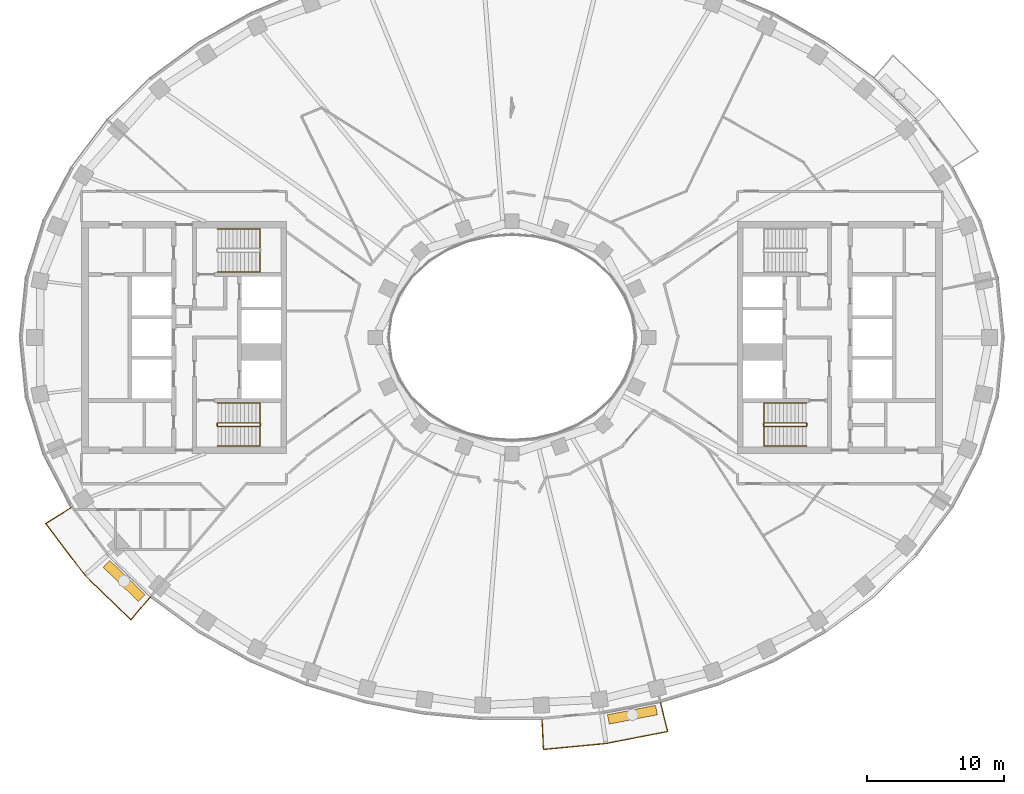
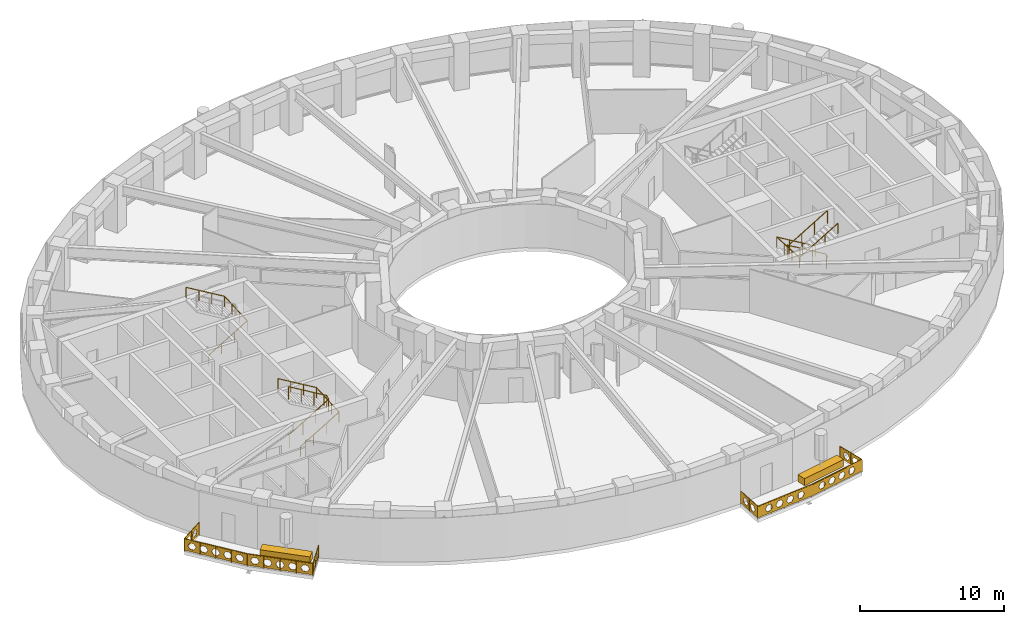
# One storey, part 14 of 16: 7 railings, 2 coverings.
"""IFC4 building model written with IfcOpenShell, lengths in metres."""

from ifc_helpers import new_model, si_unit, direction, frame, origin, origin_2d, place, context, subcontext, project, spatial, polyline, rectangle, outline, extrude, material, type_object, element, save


model = new_model("IFC4")

# Units and contexts
model_context = context("Model", 3, precision=1e-05, world=origin(), true_north=direction((0.0, 1.0)))
body_context = subcontext(model_context, "Body", "Model", "MODEL_VIEW")
ifc_project = project(units=[si_unit("LENGTHUNIT", "METRE"), si_unit("AREAUNIT", "SQUARE_METRE"), si_unit("VOLUMEUNIT", "CUBIC_METRE"), si_unit("PLANEANGLEUNIT", "RADIAN"), si_unit("MASSUNIT", "GRAM", prefix="KILO")], contexts=[model_context])

# Site, building, storey
site_placement = place(None, origin())
site = spatial("IfcSite", under=ifc_project, at=site_placement, CompositionType="ELEMENT")
building_placement = place(site_placement, origin())
building = spatial("IfcBuilding", under=site, at=building_placement, Name="Noorbagh Ring Tower", CompositionType="ELEMENT")
storey_placement = place(building_placement, frame((0.0, 0.0, 186.0)))
storey = spatial("IfcBuildingStorey", under=building, at=storey_placement, Name="L43", CompositionType="ELEMENT", Elevation=186.0)

# Railings
ifc_material_1 = material(Name="Stainless steel", Category="steel")
railing_type_1 = type_object("IfcRailingType", Name="CORE-STAIR-GUARD", PredefinedType="GUARDRAIL", material=ifc_material_1)
railing_1_placement = place(storey_placement, frame((-21.580078125, -6.449951171875, 0.0)))
element("IfcRailing", 1, at=railing_1_placement, inside=storey, type_object=railing_type_1, Name="L43 ST2 stair guard", PredefinedType="GUARDRAIL", context=body_context, shape_type="SweptSolid", body=[
    extrude(rectangle(XDim=0.048095703125, YDim=0.048095703125, at=origin_2d()), frame((0.0, 0.0, 1.076171875), z_axis=(0.0, 1.0, 0.0), x_axis=(-1.0, 0.0, 0.0)), (0.0, 0.0, 1.0), 0.14990234375),
    extrude(rectangle(XDim=0.048095703125, YDim=0.048095703125, at=origin_2d()), frame((0.0, 0.14990234375, 1.076171875), z_axis=(0.188775798145, -0.754182335027, 0.628945707965), x_axis=(0.970072785993, 0.242814311512, 0.0)), (0.0, 0.0, 1.0), 0.26513671875),
    extrude(rectangle(XDim=0.048095703125, YDim=0.048095703125, at=origin_2d()), frame((0.050048828125, -0.050048828125, 1.24267578125), z_axis=(0.859308565015, 0.0, 0.511457515432), x_axis=(0.0, 1.0, 0.0)), (0.0, 0.0, 1.0), 3.58447265625),
    extrude(rectangle(XDim=0.048095703125, YDim=0.048095703125, at=origin_2d()), frame((3.130126953125, -0.050048828125, 3.076171875), z_axis=(0.707106781187, 0.707106781187, 0.0), x_axis=(-0.707106781187, 0.707106781187, 0.0)), (0.0, 0.0, 1.0), 0.07080078125),
    extrude(rectangle(XDim=0.048095703125, YDim=0.048095703125, at=origin_2d()), frame((3.18017578125, 0.0, 3.076171875), z_axis=(0.0, 1.0, 0.0), x_axis=(-1.0, 0.0, 0.0)), (0.0, 0.0, 1.0), 0.14990234375),
    extrude(rectangle(XDim=0.048095703125, YDim=0.048095703125, at=origin_2d()), frame((3.18017578125, 0.14990234375, 3.076171875), z_axis=(-0.27628659633, 0.27628659633, 0.920506074601), x_axis=(-0.707106781187, -0.707106781187, 0.0)), (0.0, 0.0, 1.0), 0.18115234375),
    extrude(rectangle(XDim=0.048095703125, YDim=0.048095703125, at=origin_2d()), frame((3.130126953125, 0.199951171875, 3.24267578125), z_axis=(-0.859308565015, 0.0, 0.511457515432), x_axis=(0.0, -1.0, 0.0)), (0.0, 0.0, 1.0), 3.58447265625),
    extrude(rectangle(XDim=0.0419921875, YDim=0.0419921875, at=origin_2d()), origin(), (0.0, 0.0, 1.0), 1.052001953125),
    extrude(rectangle(XDim=0.0419921875, YDim=0.0419921875, at=origin_2d()), frame((1.07666015625, -0.050048828125, 0.77783203125)), (0.0, 0.0, 1.0), 1.052001953125),
    extrude(rectangle(XDim=0.0419921875, YDim=0.0419921875, at=origin_2d()), frame((2.103515625, -0.050048828125, 1.388916015625)), (0.0, 0.0, 1.0), 1.052001953125),
    extrude(rectangle(XDim=0.0419921875, YDim=0.0419921875, at=origin_2d()), frame((3.130126953125, -0.050048828125, 2.0)), (0.0, 0.0, 1.0), 1.052001953125),
    extrude(rectangle(XDim=0.0419921875, YDim=0.0419921875, at=origin_2d()), frame((3.130126953125, 0.199951171875, 2.166748046875)), (0.0, 0.0, 1.0), 1.052001953125),
    extrude(rectangle(XDim=0.0419921875, YDim=0.0419921875, at=origin_2d()), frame((2.103515625, 0.199951171875, 2.77783203125)), (0.0, 0.0, 1.0), 1.052001953125),
    extrude(rectangle(XDim=0.0419921875, YDim=0.0419921875, at=origin_2d()), frame((1.07666015625, 0.199951171875, 3.388916015625)), (0.0, 0.0, 1.0), 1.052001953125),
    extrude(rectangle(XDim=0.0419921875, YDim=0.0419921875, at=origin_2d()), frame((0.050048828125, 0.199951171875, 4.0)), (0.0, 0.0, 1.0), 1.052001953125),
])
railing_2_placement = place(storey_placement, frame((21.580078125, -6.300048828125, 0.0)))
element("IfcRailing", 2, at=railing_2_placement, inside=storey, type_object=railing_type_1, Name="L43 ST4 stair guard", PredefinedType="GUARDRAIL", context=body_context, shape_type="SweptSolid", body=[
    extrude(rectangle(XDim=0.048095703125, YDim=0.048095703125, at=origin_2d()), frame((0.0, 0.0, 1.076171875), z_axis=(0.0, -1.0, 0.0), x_axis=(1.0, 0.0, 0.0)), (0.0, 0.0, 1.0), 0.14990234375),
    extrude(rectangle(XDim=0.048095703125, YDim=0.048095703125, at=origin_2d()), frame((0.0, -0.14990234375, 1.076171875), z_axis=(-0.188775798145, 0.754182335027, 0.628945707965), x_axis=(-0.970072785993, -0.242814311512, 0.0)), (0.0, 0.0, 1.0), 0.26513671875),
    extrude(rectangle(XDim=0.048095703125, YDim=0.048095703125, at=origin_2d()), frame((-0.050048828125, 0.050048828125, 1.24267578125), z_axis=(-0.859308565015, 0.0, 0.511457515432), x_axis=(0.0, -1.0, 0.0)), (0.0, 0.0, 1.0), 3.58447265625),
    extrude(rectangle(XDim=0.048095703125, YDim=0.048095703125, at=origin_2d()), frame((-3.130126953125, 0.050048828125, 3.076171875), z_axis=(-0.707106781187, -0.707106781187, 0.0), x_axis=(0.707106781187, -0.707106781187, 0.0)), (0.0, 0.0, 1.0), 0.07080078125),
    extrude(rectangle(XDim=0.048095703125, YDim=0.048095703125, at=origin_2d()), frame((-3.18017578125, 0.0, 3.076171875), z_axis=(0.0, -1.0, 0.0), x_axis=(1.0, 0.0, 0.0)), (0.0, 0.0, 1.0), 0.14990234375),
    extrude(rectangle(XDim=0.048095703125, YDim=0.048095703125, at=origin_2d()), frame((-3.18017578125, -0.14990234375, 3.076171875), z_axis=(0.27628659633, -0.27628659633, 0.920506074601), x_axis=(0.707106781187, 0.707106781187, 0.0)), (0.0, 0.0, 1.0), 0.18115234375),
    extrude(rectangle(XDim=0.048095703125, YDim=0.048095703125, at=origin_2d()), frame((-3.130126953125, -0.199951171875, 3.24267578125), z_axis=(0.859308565015, 0.0, 0.511457515432), x_axis=(0.0, 1.0, 0.0)), (0.0, 0.0, 1.0), 3.58447265625),
    extrude(rectangle(XDim=0.0419921875, YDim=0.0419921875, at=origin_2d()), origin(), (0.0, 0.0, 1.0), 1.052001953125),
    extrude(rectangle(XDim=0.0419921875, YDim=0.0419921875, at=origin_2d()), frame((-1.07666015625, 0.050048828125, 0.77783203125)), (0.0, 0.0, 1.0), 1.052001953125),
    extrude(rectangle(XDim=0.0419921875, YDim=0.0419921875, at=origin_2d()), frame((-2.103515625, 0.050048828125, 1.388916015625)), (0.0, 0.0, 1.0), 1.052001953125),
    extrude(rectangle(XDim=0.0419921875, YDim=0.0419921875, at=origin_2d()), frame((-3.130126953125, 0.050048828125, 2.0)), (0.0, 0.0, 1.0), 1.052001953125),
    extrude(rectangle(XDim=0.0419921875, YDim=0.0419921875, at=origin_2d()), frame((-3.130126953125, -0.199951171875, 2.166748046875)), (0.0, 0.0, 1.0), 1.052001953125),
    extrude(rectangle(XDim=0.0419921875, YDim=0.0419921875, at=origin_2d()), frame((-2.103515625, -0.199951171875, 2.77783203125)), (0.0, 0.0, 1.0), 1.052001953125),
    extrude(rectangle(XDim=0.0419921875, YDim=0.0419921875, at=origin_2d()), frame((-1.07666015625, -0.199951171875, 3.388916015625)), (0.0, 0.0, 1.0), 1.052001953125),
    extrude(rectangle(XDim=0.0419921875, YDim=0.0419921875, at=origin_2d()), frame((-0.050048828125, -0.199951171875, 4.0)), (0.0, 0.0, 1.0), 1.052001953125),
])
ifc_material_2 = material(Name="Stainless steel", Category="steel")
railing_type_2 = type_object("IfcRailingType", Name="CORE-STAIR-HANDRAIL", PredefinedType="HANDRAIL", material=ifc_material_2)
railing_3_placement = place(storey_placement, frame((-21.530029296875, 4.800048828125, 0.166748046875)))
element("IfcRailing", 3, at=railing_3_placement, inside=storey, type_object=railing_type_2, Name="L43 ST1 stair handrail", PredefinedType="HANDRAIL", context=body_context, shape_type="SweptSolid", body=[
    extrude(rectangle(XDim=0.048095703125, YDim=0.048095703125, at=origin_2d()), frame((0.0, 0.0, 0.8759765625), z_axis=(0.859308565015, 0.0, 0.511457515432), x_axis=(0.0, 1.0, 0.0)), (0.0, 0.0, 1.0), 3.58447265625),
    extrude(rectangle(XDim=0.048095703125, YDim=0.048095703125, at=origin_2d()), frame((3.080078125, 0.0, 2.708984375), z_axis=(0.0, 0.998601747152, 0.052863509014), x_axis=(-1.0, 0.0, 0.0)), (0.0, 0.0, 1.0), 3.154296875),
    extrude(rectangle(XDim=0.048095703125, YDim=0.048095703125, at=origin_2d()), frame((3.080078125, 3.14990234375, 2.8759765625), z_axis=(-0.859308565015, 0.0, 0.511457515432), x_axis=(0.0, -1.0, 0.0)), (0.0, 0.0, 1.0), 3.58447265625),
    extrude(rectangle(XDim=0.0419921875, YDim=0.0419921875, at=origin_2d()), origin(), (0.0, 0.0, 1.0), 0.851806640625),
    extrude(rectangle(XDim=0.0419921875, YDim=0.0419921875, at=origin_2d()), frame((1.026611328125, 0.0, 0.611083984375)), (0.0, 0.0, 1.0), 0.851806640625),
    extrude(rectangle(XDim=0.0419921875, YDim=0.0419921875, at=origin_2d()), frame((2.053466796875, 0.0, 1.22216796875)), (0.0, 0.0, 1.0), 0.851806640625),
    extrude(rectangle(XDim=0.0419921875, YDim=0.0419921875, at=origin_2d()), frame((3.080078125, 0.0, 1.833251953125)), (0.0, 0.0, 1.0), 0.851806640625),
    extrude(rectangle(XDim=0.0419921875, YDim=0.0419921875, at=origin_2d()), frame((3.080078125, 1.050048828125, 1.888916015625)), (0.0, 0.0, 1.0), 0.851806640625),
    extrude(rectangle(XDim=0.0419921875, YDim=0.0419921875, at=origin_2d()), frame((3.080078125, 2.099853515625, 1.9443359375)), (0.0, 0.0, 1.0), 0.851806640625),
    extrude(rectangle(XDim=0.0419921875, YDim=0.0419921875, at=origin_2d()), frame((3.080078125, 3.14990234375, 2.0)), (0.0, 0.0, 1.0), 0.851806640625),
    extrude(rectangle(XDim=0.0419921875, YDim=0.0419921875, at=origin_2d()), frame((2.053466796875, 3.14990234375, 2.611083984375)), (0.0, 0.0, 1.0), 0.851806640625),
    extrude(rectangle(XDim=0.0419921875, YDim=0.0419921875, at=origin_2d()), frame((1.026611328125, 3.14990234375, 3.22216796875)), (0.0, 0.0, 1.0), 0.851806640625),
    extrude(rectangle(XDim=0.0419921875, YDim=0.0419921875, at=origin_2d()), frame((0.0, 3.14990234375, 3.833251953125)), (0.0, 0.0, 1.0), 0.851806640625),
])
railing_4_placement = place(storey_placement, frame((-21.530029296875, -7.949951171875, 0.166748046875)))
element("IfcRailing", 4, at=railing_4_placement, inside=storey, type_object=railing_type_2, Name="L43 ST2 stair handrail", PredefinedType="HANDRAIL", context=body_context, shape_type="SweptSolid", body=[
    extrude(rectangle(XDim=0.048095703125, YDim=0.048095703125, at=origin_2d()), frame((0.0, 0.0, 0.8759765625), z_axis=(0.859308565015, 0.0, 0.511457515432), x_axis=(0.0, 1.0, 0.0)), (0.0, 0.0, 1.0), 3.58447265625),
    extrude(rectangle(XDim=0.048095703125, YDim=0.048095703125, at=origin_2d()), frame((3.080078125, 0.0, 2.708984375), z_axis=(0.0, 0.998601747152, 0.052863509014), x_axis=(-1.0, 0.0, 0.0)), (0.0, 0.0, 1.0), 3.154296875),
    extrude(rectangle(XDim=0.048095703125, YDim=0.048095703125, at=origin_2d()), frame((3.080078125, 3.14990234375, 2.8759765625), z_axis=(-0.859308565015, 0.0, 0.511457515432), x_axis=(0.0, -1.0, 0.0)), (0.0, 0.0, 1.0), 3.58447265625),
    extrude(rectangle(XDim=0.0419921875, YDim=0.0419921875, at=origin_2d()), origin(), (0.0, 0.0, 1.0), 0.851806640625),
    extrude(rectangle(XDim=0.0419921875, YDim=0.0419921875, at=origin_2d()), frame((1.026611328125, 0.0, 0.611083984375)), (0.0, 0.0, 1.0), 0.851806640625),
    extrude(rectangle(XDim=0.0419921875, YDim=0.0419921875, at=origin_2d()), frame((2.053466796875, 0.0, 1.22216796875)), (0.0, 0.0, 1.0), 0.851806640625),
    extrude(rectangle(XDim=0.0419921875, YDim=0.0419921875, at=origin_2d()), frame((3.080078125, 0.0, 1.833251953125)), (0.0, 0.0, 1.0), 0.851806640625),
    extrude(rectangle(XDim=0.0419921875, YDim=0.0419921875, at=origin_2d()), frame((3.080078125, 1.050048828125, 1.888916015625)), (0.0, 0.0, 1.0), 0.851806640625),
    extrude(rectangle(XDim=0.0419921875, YDim=0.0419921875, at=origin_2d()), frame((3.080078125, 2.099853515625, 1.9443359375)), (0.0, 0.0, 1.0), 0.851806640625),
    extrude(rectangle(XDim=0.0419921875, YDim=0.0419921875, at=origin_2d()), frame((3.080078125, 3.14990234375, 2.0)), (0.0, 0.0, 1.0), 0.851806640625),
    extrude(rectangle(XDim=0.0419921875, YDim=0.0419921875, at=origin_2d()), frame((2.053466796875, 3.14990234375, 2.611083984375)), (0.0, 0.0, 1.0), 0.851806640625),
    extrude(rectangle(XDim=0.0419921875, YDim=0.0419921875, at=origin_2d()), frame((1.026611328125, 3.14990234375, 3.22216796875)), (0.0, 0.0, 1.0), 0.851806640625),
    extrude(rectangle(XDim=0.0419921875, YDim=0.0419921875, at=origin_2d()), frame((0.0, 3.14990234375, 3.833251953125)), (0.0, 0.0, 1.0), 0.851806640625),
])
railing_5_placement = place(storey_placement, frame((21.530029296875, -4.800048828125, 0.166748046875)))
element("IfcRailing", 5, at=railing_5_placement, inside=storey, type_object=railing_type_2, Name="L43 ST4 stair handrail", PredefinedType="HANDRAIL", context=body_context, shape_type="SweptSolid", body=[
    extrude(rectangle(XDim=0.048095703125, YDim=0.048095703125, at=origin_2d()), frame((0.0, 0.0, 0.8759765625), z_axis=(-0.859308565015, 0.0, 0.511457515432), x_axis=(0.0, -1.0, 0.0)), (0.0, 0.0, 1.0), 3.58447265625),
    extrude(rectangle(XDim=0.048095703125, YDim=0.048095703125, at=origin_2d()), frame((-3.080078125, 0.0, 2.708984375), z_axis=(0.0, -0.998601747152, 0.052863509014), x_axis=(1.0, 0.0, 0.0)), (0.0, 0.0, 1.0), 3.154296875),
    extrude(rectangle(XDim=0.048095703125, YDim=0.048095703125, at=origin_2d()), frame((-3.080078125, -3.14990234375, 2.8759765625), z_axis=(0.859308565015, 0.0, 0.511457515432), x_axis=(0.0, 1.0, 0.0)), (0.0, 0.0, 1.0), 3.58447265625),
    extrude(rectangle(XDim=0.0419921875, YDim=0.0419921875, at=origin_2d()), origin(), (0.0, 0.0, 1.0), 0.851806640625),
    extrude(rectangle(XDim=0.0419921875, YDim=0.0419921875, at=origin_2d()), frame((-1.026611328125, 0.0, 0.611083984375)), (0.0, 0.0, 1.0), 0.851806640625),
    extrude(rectangle(XDim=0.0419921875, YDim=0.0419921875, at=origin_2d()), frame((-2.053466796875, 0.0, 1.22216796875)), (0.0, 0.0, 1.0), 0.851806640625),
    extrude(rectangle(XDim=0.0419921875, YDim=0.0419921875, at=origin_2d()), frame((-3.080078125, 0.0, 1.833251953125)), (0.0, 0.0, 1.0), 0.851806640625),
    extrude(rectangle(XDim=0.0419921875, YDim=0.0419921875, at=origin_2d()), frame((-3.080078125, -1.050048828125, 1.888916015625)), (0.0, 0.0, 1.0), 0.851806640625),
    extrude(rectangle(XDim=0.0419921875, YDim=0.0419921875, at=origin_2d()), frame((-3.080078125, -2.099853515625, 1.9443359375)), (0.0, 0.0, 1.0), 0.851806640625),
    extrude(rectangle(XDim=0.0419921875, YDim=0.0419921875, at=origin_2d()), frame((-3.080078125, -3.14990234375, 2.0)), (0.0, 0.0, 1.0), 0.851806640625),
    extrude(rectangle(XDim=0.0419921875, YDim=0.0419921875, at=origin_2d()), frame((-2.053466796875, -3.14990234375, 2.611083984375)), (0.0, 0.0, 1.0), 0.851806640625),
    extrude(rectangle(XDim=0.0419921875, YDim=0.0419921875, at=origin_2d()), frame((-1.026611328125, -3.14990234375, 3.22216796875)), (0.0, 0.0, 1.0), 0.851806640625),
    extrude(rectangle(XDim=0.0419921875, YDim=0.0419921875, at=origin_2d()), frame((0.0, -3.14990234375, 3.833251953125)), (0.0, 0.0, 1.0), 0.851806640625),
])
ifc_material_3 = material(Name="Steel S275 black powder-coated", Category="steel")
railing_type_3 = type_object("IfcRailingType", Name="ENV-GUARD", PredefinedType="GUARDRAIL", material=ifc_material_3)
railing_6_placement = place(storey_placement, frame((-32.255126953125, -12.434814453125, 0.0)))
element("IfcRailing", 6, at=railing_6_placement, inside=storey, type_object=railing_type_3, Name="Balcony guard BS01", PredefinedType="GUARDRAIL", context=body_context, shape_type="SweptSolid", body=[
    extrude(rectangle(XDim=0.048095703125, YDim=0.048095703125, at=origin_2d()), frame((0.0, 0.0, 1.076171875), z_axis=(-0.844852397829, -0.534999463442, 0.0), x_axis=(0.534999463442, -0.844852397829, 0.0)), (0.0, 0.0, 1.0), 2.207763671875),
    extrude(rectangle(XDim=0.048095703125, YDim=0.048095703125, at=origin_2d()), frame((-1.865234375, -1.18115234375, 1.076171875), z_axis=(0.604001613322, -0.796983093362, 0.0), x_axis=(0.796983093362, 0.604001613322, 0.0)), (0.0, 0.0, 1.0), 4.7353515625),
    extrude(rectangle(XDim=0.048095703125, YDim=0.048095703125, at=origin_2d()), frame((0.994873046875, -4.955078125, 1.076171875), z_axis=(0.717212632946, -0.696854388766, 0.0), x_axis=(0.696854388766, 0.717212632946, 0.0)), (0.0, 0.0, 1.0), 4.700927734375),
    extrude(rectangle(XDim=0.048095703125, YDim=0.048095703125, at=origin_2d()), frame((4.366455078125, -8.23095703125, 1.076171875), z_axis=(0.646413574048, 0.762987215677, 0.0), x_axis=(-0.762987215677, 0.646413574048, 0.0)), (0.0, 0.0, 1.0), 2.205322265625),
    extrude(rectangle(XDim=0.0419921875, YDim=0.0419921875, at=origin_2d()), origin(), (0.0, 0.0, 1.0), 1.052001953125),
    extrude(rectangle(XDim=0.0419921875, YDim=0.0419921875, at=origin_2d()), frame((-0.9326171875, -0.590576171875, 0.0)), (0.0, 0.0, 1.0), 1.052001953125),
    extrude(rectangle(XDim=0.0419921875, YDim=0.0419921875, at=origin_2d()), frame((-1.865234375, -1.18115234375, 0.0)), (0.0, 0.0, 1.0), 1.052001953125),
    extrude(rectangle(XDim=0.0419921875, YDim=0.0419921875, at=origin_2d()), frame((-1.150146484375, -2.12451171875, 0.0)), (0.0, 0.0, 1.0), 1.052001953125),
    extrude(rectangle(XDim=0.0419921875, YDim=0.0419921875, at=origin_2d()), frame((-0.43505859375, -3.068115234375, 0.0)), (0.0, 0.0, 1.0), 1.052001953125),
    extrude(rectangle(XDim=0.0419921875, YDim=0.0419921875, at=origin_2d()), frame((0.27978515625, -4.01171875, 0.0)), (0.0, 0.0, 1.0), 1.052001953125),
    extrude(rectangle(XDim=0.0419921875, YDim=0.0419921875, at=origin_2d()), frame((0.994873046875, -4.955078125, 0.0)), (0.0, 0.0, 1.0), 1.052001953125),
    extrude(rectangle(XDim=0.0419921875, YDim=0.0419921875, at=origin_2d()), frame((1.837890625, -5.77392578125, 0.0)), (0.0, 0.0, 1.0), 1.052001953125),
    extrude(rectangle(XDim=0.0419921875, YDim=0.0419921875, at=origin_2d()), frame((2.6806640625, -6.593017578125, 0.0)), (0.0, 0.0, 1.0), 1.052001953125),
    extrude(rectangle(XDim=0.0419921875, YDim=0.0419921875, at=origin_2d()), frame((3.5234375, -7.412109375, 0.0)), (0.0, 0.0, 1.0), 1.052001953125),
    extrude(rectangle(XDim=0.0419921875, YDim=0.0419921875, at=origin_2d()), frame((4.366455078125, -8.23095703125, 0.0)), (0.0, 0.0, 1.0), 1.052001953125),
    extrude(rectangle(XDim=0.0419921875, YDim=0.0419921875, at=origin_2d()), frame((5.0791015625, -7.3896484375, 0.0)), (0.0, 0.0, 1.0), 1.052001953125),
    extrude(rectangle(XDim=0.0419921875, YDim=0.0419921875, at=origin_2d()), frame((5.7919921875, -6.54833984375, 0.0)), (0.0, 0.0, 1.0), 1.052001953125),
    extrude(outline(polyline([(0.0, 0.10009765625), (2.207763671875, 0.10009765625), (2.207763671875, 1.031982421875), (0.0, 1.031982421875), (0.0, 0.10009765625)]), holes=[polyline([(0.9638671875, 0.56591796875), (0.808837890625, 0.83447265625), (0.498779296875, 0.83447265625), (0.343994140625, 0.56591796875), (0.498779296875, 0.297607421875), (0.808837890625, 0.297607421875), (0.9638671875, 0.56591796875)]), polyline([(1.86376953125, 0.56591796875), (1.708984375, 0.83447265625), (1.39892578125, 0.83447265625), (1.243896484375, 0.56591796875), (1.39892578125, 0.297607421875), (1.708984375, 0.297607421875), (1.86376953125, 0.56591796875)])]), frame((0.00537109375, -0.008544921875, 0.0), z_axis=(-0.534999463442, 0.844852397829, 0.0), x_axis=(-0.844852397829, -0.534999463442, 0.0)), (0.0, 0.0, 1.0), 0.02001953125),
    extrude(outline(polyline([(0.0, 0.10009765625), (4.7353515625, 0.10009765625), (4.7353515625, 1.031982421875), (0.0, 1.031982421875), (0.0, 0.10009765625)]), holes=[polyline([(0.877685546875, 0.56591796875), (0.72265625, 0.83447265625), (0.41259765625, 0.83447265625), (0.257568359375, 0.56591796875), (0.41259765625, 0.297607421875), (0.72265625, 0.297607421875), (0.877685546875, 0.56591796875)]), polyline([(1.777587890625, 0.56591796875), (1.62255859375, 0.83447265625), (1.312744140625, 0.83447265625), (1.15771484375, 0.56591796875), (1.312744140625, 0.297607421875), (1.62255859375, 0.297607421875), (1.777587890625, 0.56591796875)]), polyline([(2.677734375, 0.56591796875), (2.522705078125, 0.83447265625), (2.212646484375, 0.83447265625), (2.0576171875, 0.56591796875), (2.212646484375, 0.297607421875), (2.522705078125, 0.297607421875), (2.677734375, 0.56591796875)]), polyline([(3.57763671875, 0.56591796875), (3.422607421875, 0.83447265625), (3.112548828125, 0.83447265625), (2.95751953125, 0.56591796875), (3.112548828125, 0.297607421875), (3.422607421875, 0.297607421875), (3.57763671875, 0.56591796875)]), polyline([(4.4775390625, 0.56591796875), (4.32275390625, 0.83447265625), (4.0126953125, 0.83447265625), (3.857666015625, 0.56591796875), (4.0126953125, 0.297607421875), (4.32275390625, 0.297607421875), (4.4775390625, 0.56591796875)])]), frame((-1.857177734375, -1.175048828125, 0.0), z_axis=(-0.796983093362, -0.604001613322, 0.0), x_axis=(0.604001613322, -0.796983093362, 0.0)), (0.0, 0.0, 1.0), 0.02001953125),
    extrude(outline(polyline([(0.0, 0.10009765625), (4.700927734375, 0.10009765625), (4.700927734375, 1.031982421875), (0.0, 1.031982421875), (0.0, 0.10009765625)]), holes=[polyline([(0.860595703125, 0.56591796875), (0.70556640625, 0.83447265625), (0.3955078125, 0.83447265625), (0.240478515625, 0.56591796875), (0.3955078125, 0.297607421875), (0.70556640625, 0.297607421875), (0.860595703125, 0.56591796875)]), polyline([(1.760498046875, 0.56591796875), (1.60546875, 0.83447265625), (1.29541015625, 0.83447265625), (1.140380859375, 0.56591796875), (1.29541015625, 0.297607421875), (1.60546875, 0.297607421875), (1.760498046875, 0.56591796875)]), polyline([(2.660400390625, 0.56591796875), (2.50537109375, 0.83447265625), (2.195556640625, 0.83447265625), (2.04052734375, 0.56591796875), (2.195556640625, 0.297607421875), (2.50537109375, 0.297607421875), (2.660400390625, 0.56591796875)]), polyline([(3.560546875, 0.56591796875), (3.405517578125, 0.83447265625), (3.095458984375, 0.83447265625), (2.9404296875, 0.56591796875), (3.095458984375, 0.297607421875), (3.405517578125, 0.297607421875), (3.560546875, 0.56591796875)]), polyline([(4.46044921875, 0.56591796875), (4.305419921875, 0.83447265625), (3.995361328125, 0.83447265625), (3.840576171875, 0.56591796875), (3.995361328125, 0.297607421875), (4.305419921875, 0.297607421875), (4.46044921875, 0.56591796875)])]), frame((1.001953125, -4.947998046875, 0.0), z_axis=(-0.696854388766, -0.717212632946, 0.0), x_axis=(0.717212632946, -0.696854388766, 0.0)), (0.0, 0.0, 1.0), 0.02001953125),
    extrude(outline(polyline([(0.0, 0.10009765625), (2.205322265625, 0.10009765625), (2.205322265625, 1.031982421875), (0.0, 1.031982421875), (0.0, 0.10009765625)]), holes=[polyline([(0.962646484375, 0.56591796875), (0.8076171875, 0.83447265625), (0.49755859375, 0.83447265625), (0.342529296875, 0.56591796875), (0.49755859375, 0.297607421875), (0.8076171875, 0.297607421875), (0.962646484375, 0.56591796875)]), polyline([(1.862548828125, 0.56591796875), (1.707763671875, 0.83447265625), (1.397705078125, 0.83447265625), (1.24267578125, 0.56591796875), (1.397705078125, 0.297607421875), (1.707763671875, 0.297607421875), (1.862548828125, 0.56591796875)])]), frame((4.35888671875, -8.224609375, 0.0), z_axis=(0.762987215677, -0.646413574048, 0.0), x_axis=(0.646413574048, 0.762987215677, 0.0)), (0.0, 0.0, 1.0), 0.02001953125),
])
railing_7_placement = place(storey_placement, frame((2.193115234375, -27.947998046875, 0.0)))
element("IfcRailing", 7, at=railing_7_placement, inside=storey, type_object=railing_type_3, Name="Balcony guard BS04", PredefinedType="GUARDRAIL", context=body_context, shape_type="SweptSolid", body=[
    extrude(rectangle(XDim=0.048095703125, YDim=0.048095703125, at=origin_2d()), frame((0.0, 0.0, 1.076171875), z_axis=(0.047554616162, -0.998868639252, 0.0), x_axis=(0.998868639252, 0.047554616162, 0.0)), (0.0, 0.0, 1.0), 2.202392578125),
    extrude(rectangle(XDim=0.048095703125, YDim=0.048095703125, at=origin_2d()), frame((0.104736328125, -2.199951171875, 1.076171875), z_axis=(0.995477555764, 0.094997031379, 0.0), x_axis=(-0.094997031379, 0.995477555764, 0.0)), (0.0, 0.0, 1.0), 4.59765625),
    extrude(rectangle(XDim=0.048095703125, YDim=0.048095703125, at=origin_2d()), frame((4.681640625, -1.76318359375, 1.076171875), z_axis=(0.981625049064, 0.1908199755, 0.0), x_axis=(-0.1908199755, 0.981625049064, 0.0)), (0.0, 0.0, 1.0), 4.603271484375),
    extrude(rectangle(XDim=0.048095703125, YDim=0.048095703125, at=origin_2d()), frame((9.200439453125, -0.884765625, 1.076171875), z_axis=(-0.239848558412, 0.970810315679, 0.0), x_axis=(-0.970810315679, -0.239848558412, 0.0)), (0.0, 0.0, 1.0), 2.20263671875),
    extrude(rectangle(XDim=0.0419921875, YDim=0.0419921875, at=origin_2d()), origin(), (0.0, 0.0, 1.0), 1.052001953125),
    extrude(rectangle(XDim=0.0419921875, YDim=0.0419921875, at=origin_2d()), frame((0.05224609375, -1.10009765625, 0.0)), (0.0, 0.0, 1.0), 1.052001953125),
    extrude(rectangle(XDim=0.0419921875, YDim=0.0419921875, at=origin_2d()), frame((0.104736328125, -2.199951171875, 0.0)), (0.0, 0.0, 1.0), 1.052001953125),
    extrude(rectangle(XDim=0.0419921875, YDim=0.0419921875, at=origin_2d()), frame((1.2490234375, -2.0908203125, 0.0)), (0.0, 0.0, 1.0), 1.052001953125),
    extrude(rectangle(XDim=0.0419921875, YDim=0.0419921875, at=origin_2d()), frame((2.39306640625, -1.9814453125, 0.0)), (0.0, 0.0, 1.0), 1.052001953125),
    extrude(rectangle(XDim=0.0419921875, YDim=0.0419921875, at=origin_2d()), frame((3.537353515625, -1.872314453125, 0.0)), (0.0, 0.0, 1.0), 1.052001953125),
    extrude(rectangle(XDim=0.0419921875, YDim=0.0419921875, at=origin_2d()), frame((4.681640625, -1.76318359375, 0.0)), (0.0, 0.0, 1.0), 1.052001953125),
    extrude(rectangle(XDim=0.0419921875, YDim=0.0419921875, at=origin_2d()), frame((5.811279296875, -1.54345703125, 0.0)), (0.0, 0.0, 1.0), 1.052001953125),
    extrude(rectangle(XDim=0.0419921875, YDim=0.0419921875, at=origin_2d()), frame((6.94091796875, -1.323974609375, 0.0)), (0.0, 0.0, 1.0), 1.052001953125),
    extrude(rectangle(XDim=0.0419921875, YDim=0.0419921875, at=origin_2d()), frame((8.07080078125, -1.1044921875, 0.0)), (0.0, 0.0, 1.0), 1.052001953125),
    extrude(rectangle(XDim=0.0419921875, YDim=0.0419921875, at=origin_2d()), frame((9.200439453125, -0.884765625, 0.0)), (0.0, 0.0, 1.0), 1.052001953125),
    extrude(rectangle(XDim=0.0419921875, YDim=0.0419921875, at=origin_2d()), frame((8.936279296875, 0.1845703125, 0.0)), (0.0, 0.0, 1.0), 1.052001953125),
    extrude(rectangle(XDim=0.0419921875, YDim=0.0419921875, at=origin_2d()), frame((8.672119140625, 1.253662109375, 0.0)), (0.0, 0.0, 1.0), 1.052001953125),
    extrude(outline(polyline([(0.0, 0.10009765625), (2.202392578125, 0.10009765625), (2.202392578125, 1.031982421875), (0.0, 1.031982421875), (0.0, 0.10009765625)]), holes=[polyline([(0.961181640625, 0.56591796875), (0.80615234375, 0.83447265625), (0.496337890625, 0.83447265625), (0.34130859375, 0.56591796875), (0.496337890625, 0.297607421875), (0.80615234375, 0.297607421875), (0.961181640625, 0.56591796875)]), polyline([(1.861328125, 0.56591796875), (1.706298828125, 0.83447265625), (1.396240234375, 0.83447265625), (1.2412109375, 0.56591796875), (1.396240234375, 0.297607421875), (1.706298828125, 0.297607421875), (1.861328125, 0.56591796875)])]), frame((0.010009765625, 0.00048828125, 0.0), z_axis=(-0.998868639252, -0.047554616162, 0.0), x_axis=(0.047554616162, -0.998868639252, 0.0)), (0.0, 0.0, 1.0), 0.02001953125),
    extrude(outline(polyline([(0.0, 0.10009765625), (4.59765625, 0.10009765625), (4.59765625, 1.031982421875), (0.0, 1.031982421875), (0.0, 0.10009765625)]), holes=[polyline([(1.2587890625, 0.56591796875), (1.103759765625, 0.83447265625), (0.7939453125, 0.83447265625), (0.638916015625, 0.56591796875), (0.7939453125, 0.297607421875), (1.103759765625, 0.297607421875), (1.2587890625, 0.56591796875)]), polyline([(2.158935546875, 0.56591796875), (2.00390625, 0.83447265625), (1.69384765625, 0.83447265625), (1.538818359375, 0.56591796875), (1.69384765625, 0.297607421875), (2.00390625, 0.297607421875), (2.158935546875, 0.56591796875)]), polyline([(3.058837890625, 0.56591796875), (2.90380859375, 0.83447265625), (2.59375, 0.83447265625), (2.43896484375, 0.56591796875), (2.59375, 0.297607421875), (2.90380859375, 0.297607421875), (3.058837890625, 0.56591796875)]), polyline([(3.958740234375, 0.56591796875), (3.803955078125, 0.83447265625), (3.493896484375, 0.83447265625), (3.3388671875, 0.56591796875), (3.493896484375, 0.297607421875), (3.803955078125, 0.297607421875), (3.958740234375, 0.56591796875)])]), frame((0.103759765625, -2.18994140625, 0.0), z_axis=(0.094997031379, -0.995477555764, 0.0), x_axis=(0.995477555764, 0.094997031379, 0.0)), (0.0, 0.0, 1.0), 0.02001953125),
    extrude(outline(polyline([(0.0, 0.10009765625), (4.603271484375, 0.10009765625), (4.603271484375, 1.031982421875), (0.0, 1.031982421875), (0.0, 0.10009765625)]), holes=[polyline([(1.26171875, 0.56591796875), (1.106689453125, 0.83447265625), (0.796630859375, 0.83447265625), (0.6416015625, 0.56591796875), (0.796630859375, 0.297607421875), (1.106689453125, 0.297607421875), (1.26171875, 0.56591796875)]), polyline([(2.16162109375, 0.56591796875), (2.006591796875, 0.83447265625), (1.69677734375, 0.83447265625), (1.541748046875, 0.56591796875), (1.69677734375, 0.297607421875), (2.006591796875, 0.297607421875), (2.16162109375, 0.56591796875)]), polyline([(3.061767578125, 0.56591796875), (2.90673828125, 0.83447265625), (2.5966796875, 0.83447265625), (2.441650390625, 0.56591796875), (2.5966796875, 0.297607421875), (2.90673828125, 0.297607421875), (3.061767578125, 0.56591796875)]), polyline([(3.961669921875, 0.56591796875), (3.806640625, 0.83447265625), (3.49658203125, 0.83447265625), (3.341796875, 0.56591796875), (3.49658203125, 0.297607421875), (3.806640625, 0.297607421875), (3.961669921875, 0.56591796875)])]), frame((4.6796875, -1.75341796875, 0.0), z_axis=(0.1908199755, -0.981625049064, 0.0), x_axis=(0.981625049064, 0.1908199755, 0.0)), (0.0, 0.0, 1.0), 0.02001953125),
    extrude(outline(polyline([(0.0, 0.10009765625), (2.20263671875, 0.10009765625), (2.20263671875, 1.031982421875), (0.0, 1.031982421875), (0.0, 0.10009765625)]), holes=[polyline([(0.96142578125, 0.56591796875), (0.806396484375, 0.83447265625), (0.496337890625, 0.83447265625), (0.34130859375, 0.56591796875), (0.496337890625, 0.297607421875), (0.806396484375, 0.297607421875), (0.96142578125, 0.56591796875)]), polyline([(1.861328125, 0.56591796875), (1.706298828125, 0.83447265625), (1.396240234375, 0.83447265625), (1.241455078125, 0.56591796875), (1.396240234375, 0.297607421875), (1.706298828125, 0.297607421875), (1.861328125, 0.56591796875)])]), frame((9.190673828125, -0.88720703125, 0.0), z_axis=(0.970810315679, 0.239848558412, 0.0), x_axis=(-0.239848558412, 0.970810315679, 0.0)), (0.0, 0.0, 1.0), 0.02001953125),
])

# Coverings
ifc_material_4 = material(Name="Concrete C30/37 planter with soil", Category="concrete")
covering_type = type_object("IfcCoveringType", Name="ENV-PLANTER", PredefinedType="CLADDING", material=ifc_material_4)
covering_1_placement = place(storey_placement, frame((-28.3837890625, -17.814208984375, 0.0), z_axis=(0.0, 0.0, 1.0), x_axis=(0.717224548362, -0.696842125038, 0.0)))
element("IfcCovering", 8, at=covering_1_placement, inside=storey, type_object=covering_type, Name="PLANTER BS01", ObjectType="PLANTER", PredefinedType="CLADDING", context=body_context, shape_type="SweptSolid", body=[
    extrude(rectangle(XDim=3.584228515625, YDim=0.699951171875, at=origin_2d()), origin(), (0.0, 0.0, 1.0), 0.60009765625),
])
covering_2_placement = place(storey_placement, frame((8.807861328125, -27.603515625, 0.0), z_axis=(0.0, 0.0, 1.0), x_axis=(0.981624952922, 0.190820470077, 0.0)))
element("IfcCovering", 9, at=covering_2_placement, inside=storey, type_object=covering_type, Name="PLANTER BS04", ObjectType="PLANTER", PredefinedType="CLADDING", context=body_context, shape_type="SweptSolid", body=[
    extrude(rectangle(XDim=3.586181640625, YDim=0.699951171875, at=origin_2d()), origin(), (0.0, 0.0, 1.0), 0.60009765625),
])

save(model, "model.ifc")
